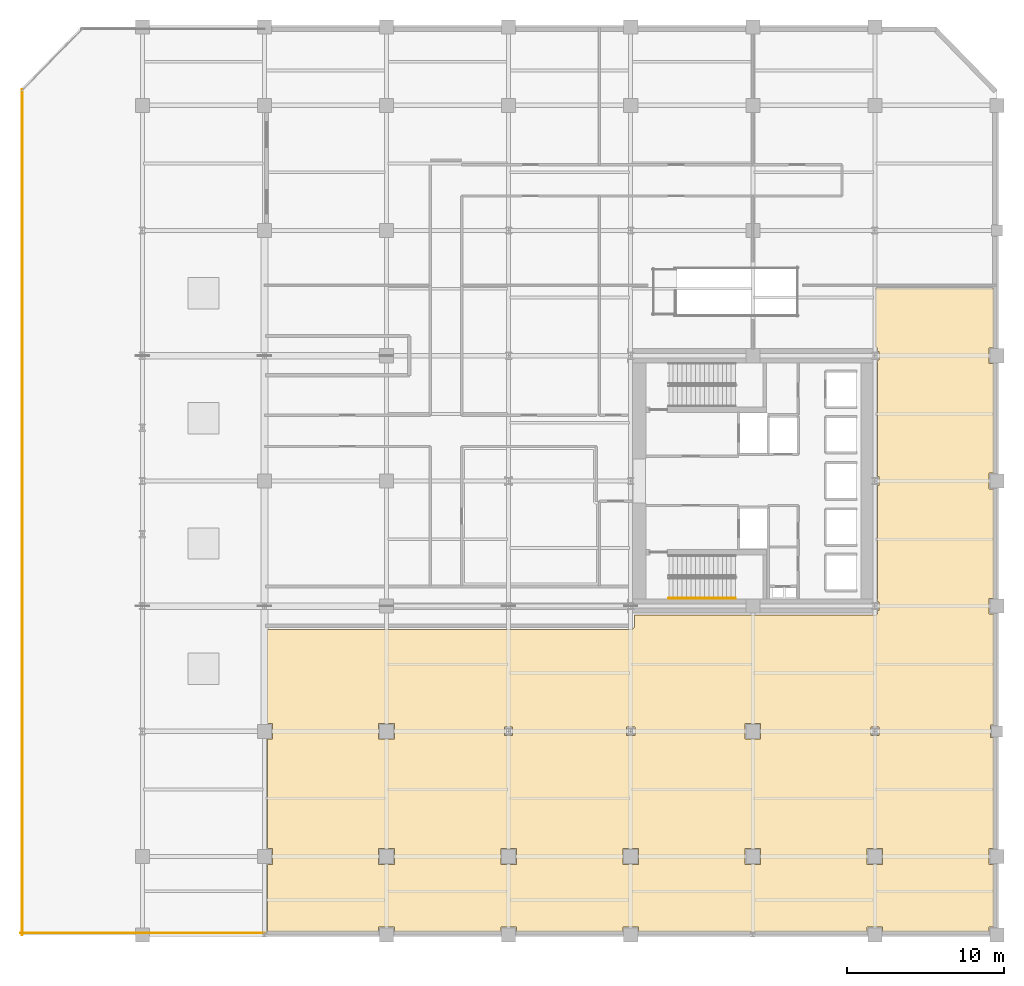
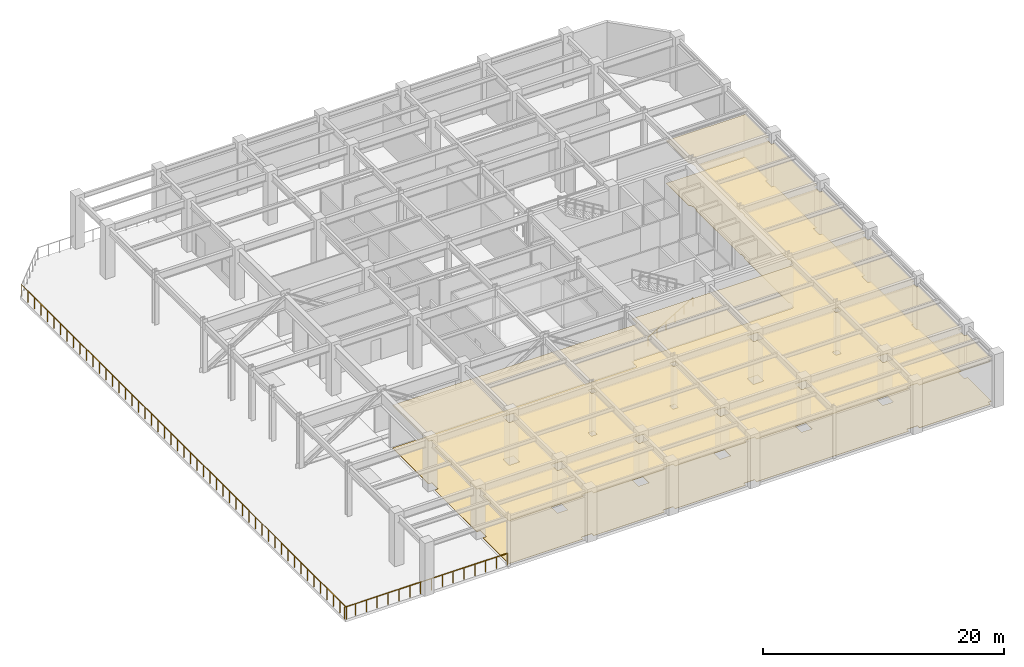
# One storey, part 11 of 14: 3 railings, 2 coverings.
"""IFC4 building model written with IfcOpenShell, lengths in metres."""

from ifc_helpers import new_model, si_unit, direction, frame, origin, origin_2d, place, context, subcontext, project, spatial, polyline, circle, outline, extrude, material, layer, layer_set, type_object, element, save


model = new_model("IFC4")

# Units and contexts
model_context = context("Model", 3, precision=1e-05, world=origin(), true_north=direction((0.0, 1.0)))
body_context = subcontext(model_context, "Body", "Model", "MODEL_VIEW")
ifc_project = project(units=[si_unit("LENGTHUNIT", "METRE"), si_unit("AREAUNIT", "SQUARE_METRE"), si_unit("VOLUMEUNIT", "CUBIC_METRE"), si_unit("PLANEANGLEUNIT", "RADIAN"), si_unit("MASSUNIT", "GRAM", prefix="KILO")], contexts=[model_context])

# Site, building, storey
site_placement = place(None, origin())
site = spatial("IfcSite", under=ifc_project, at=site_placement, CompositionType="ELEMENT")
building_placement = place(site_placement, origin())
building = spatial("IfcBuilding", under=site, at=building_placement, Name="Veymaron Broadcast Tower", CompositionType="ELEMENT")
storey_placement = place(building_placement, frame((0.0, 0.0, 27.0)))
storey = spatial("IfcBuildingStorey", under=building, at=storey_placement, Name="L05", CompositionType="ELEMENT", Elevation=27.0)

# Coverings
ifc_material_1 = material(Name="Micro-perforated dark-anodised aluminium baffle", Category="aluminium")
ifc_layer_1 = layer(ifc_material_1, 0.050048828125)
ifc_layer_set_1 = layer_set([ifc_layer_1], Name="Micro-perforated dark-anodised aluminium baffle")
covering_type_1 = type_object("IfcCoveringType", Name="COV-CEIL-MTL", PredefinedType="CEILING", material=ifc_layer_set_1)
covering_1_placement = place(storey_placement, frame((0.0, 0.0, 4.31005859375)))
element("IfcCovering", 1, at=covering_1_placement, inside=storey, type_object=covering_type_1, Name="L05 suspended acoustic ceiling 1", PredefinedType="CEILING", context=body_context, shape_type="SweptSolid", body=[
    extrude(outline(polyline([(62.219970703125, 36.320068359375), (62.219970703125, 32.5), (61.89990234375, 32.5), (61.89990234375, 31.5), (62.219970703125, 31.5), (62.219970703125, 24.5), (61.89990234375, 24.5), (61.89990234375, 23.5), (62.219970703125, 23.5), (62.219970703125, 16.5), (61.89990234375, 16.5), (61.89990234375, 15.5), (62.219970703125, 15.5), (62.219970703125, 8.39990234375), (62.0, 8.39990234375), (62.0, 7.60009765625), (62.219970703125, 7.60009765625), (62.219970703125, 0.5), (61.89990234375, 0.5), (61.89990234375, -0.5), (62.219970703125, -0.5), (62.219970703125, -4.5), (61.89990234375, -4.5), (61.89990234375, -4.820068359375), (55.10009765625, -4.820068359375), (55.10009765625, -4.5), (54.10009765625, -4.5), (54.10009765625, -4.820068359375), (46.97802734375, -4.820068359375), (46.6220703125, -4.820068359375), (39.5, -4.820068359375), (39.5, -4.5), (38.5, -4.5), (38.5, -4.820068359375), (31.699951171875, -4.820068359375), (31.699951171875, -4.5), (30.699951171875, -4.5), (30.699951171875, -4.820068359375), (23.89990234375, -4.820068359375), (23.89990234375, -4.5), (22.89990234375, -4.5), (22.89990234375, -4.820068359375), (15.780029296875, -4.820068359375), (15.780029296875, -0.5), (16.10009765625, -0.5), (16.10009765625, 0.5), (15.780029296875, 0.5), (15.780029296875, 7.5), (16.10009765625, 7.5), (16.10009765625, 8.5), (15.780029296875, 8.5), (15.780029296875, 14.52001953125), (39.050048828125, 14.52001953125), (39.067626953125, 14.52099609375), (39.085205078125, 14.5234375), (39.102294921875, 14.52783203125), (39.118896484375, 14.53369140625), (39.135009765625, 14.541259765625), (39.14990234375, 14.55029296875), (39.164306640625, 14.560791015625), (39.17724609375, 14.57275390625), (39.189208984375, 14.585693359375), (39.19970703125, 14.60009765625), (39.208740234375, 14.614990234375), (39.21630859375, 14.631103515625), (39.22216796875, 14.647705078125), (39.2265625, 14.664794921875), (39.22900390625, 14.682373046875), (39.22998046875, 14.699951171875), (39.22998046875, 15.419921875), (54.60009765625, 15.419921875), (54.61767578125, 15.4208984375), (54.635009765625, 15.423583984375), (54.65234375, 15.427734375), (54.6689453125, 15.43359375), (54.684814453125, 15.44140625), (54.699951171875, 15.4501953125), (54.714111328125, 15.4609375), (54.727294921875, 15.47265625), (54.739013671875, 15.48583984375), (54.749755859375, 15.5), (54.7587890625, 15.51513671875), (54.766357421875, 15.531005859375), (54.772216796875, 15.547607421875), (54.776611328125, 15.56494140625), (54.779052734375, 15.58251953125), (54.780029296875, 15.60009765625), (54.780029296875, 15.722412109375), (54.85888671875, 15.722412109375), (54.85888671875, 16.277587890625), (54.780029296875, 16.277587890625), (54.780029296875, 23.722412109375), (54.85888671875, 23.722412109375), (54.85888671875, 24.277587890625), (54.780029296875, 24.277587890625), (54.780029296875, 31.722412109375), (54.85888671875, 31.722412109375), (54.85888671875, 32.277587890625), (54.780029296875, 32.277587890625), (54.780029296875, 32.39990234375), (54.779052734375, 32.41748046875), (54.776611328125, 32.43505859375), (54.772216796875, 32.452392578125), (54.766357421875, 32.468994140625), (54.7587890625, 32.48486328125), (54.749755859375, 32.5), (54.739013671875, 32.51416015625), (54.727294921875, 32.52734375), (54.714111328125, 32.5390625), (54.699951171875, 32.5498046875), (54.684814453125, 32.55859375), (54.6689453125, 32.56640625), (54.65234375, 32.572265625), (54.635009765625, 32.576416015625), (54.61767578125, 32.5791015625), (54.60009765625, 32.580078125), (54.60009765625, 36.320068359375), (62.219970703125, 36.320068359375)]), holes=[polyline([(54.10009765625, 0.5), (54.10009765625, -0.5), (55.10009765625, -0.5), (55.10009765625, 0.5), (54.10009765625, 0.5)]), polyline([(54.85888671875, 8.277587890625), (54.341064453125, 8.277587890625), (54.341064453125, 7.722412109375), (54.85888671875, 7.722412109375), (54.85888671875, 8.277587890625)]), polyline([(46.300048828125, 0.5), (46.300048828125, -0.5), (47.300048828125, -0.5), (47.300048828125, 0.5), (46.300048828125, 0.5)]), polyline([(47.300048828125, 8.5), (46.300048828125, 8.5), (46.300048828125, 7.5), (47.300048828125, 7.5), (47.300048828125, 8.5)]), polyline([(38.5, -0.5), (39.5, -0.5), (39.5, 0.5), (38.5, 0.5), (38.5, -0.5)]), polyline([(38.740966796875, 8.277587890625), (38.740966796875, 7.722412109375), (39.259033203125, 7.722412109375), (39.259033203125, 8.277587890625), (38.740966796875, 8.277587890625)]), polyline([(31.699951171875, -0.5), (31.699951171875, 0.5), (30.699951171875, 0.5), (30.699951171875, -0.5), (31.699951171875, -0.5)]), polyline([(30.94091796875, 7.722412109375), (31.458984375, 7.722412109375), (31.458984375, 8.277587890625), (30.94091796875, 8.277587890625), (30.94091796875, 7.722412109375)]), polyline([(23.89990234375, 0.5), (22.89990234375, 0.5), (22.89990234375, -0.5), (23.89990234375, -0.5), (23.89990234375, 0.5)]), polyline([(23.89990234375, 7.5), (23.89990234375, 8.5), (22.89990234375, 8.5), (22.89990234375, 7.5), (23.89990234375, 7.5)])]), origin(), (0.0, 0.0, 1.0), 0.050048828125),
])
ifc_material_2 = material(Name="Honed Saudi basalt stone flooring", Category="masonry")
ifc_layer_2 = layer(ifc_material_2, 0.030029296875)
ifc_layer_set_2 = layer_set([ifc_layer_2], Name="Honed Saudi basalt stone flooring")
covering_type_2 = type_object("IfcCoveringType", Name="COV-FLR-STN", PredefinedType="FLOORING", material=ifc_layer_set_2)
covering_2_placement = place(storey_placement, origin())
element("IfcCovering", 2, at=covering_2_placement, inside=storey, type_object=covering_type_2, Name="L05 finished flooring 1", PredefinedType="FLOORING", context=body_context, shape_type="SweptSolid", body=[
    extrude(outline(polyline([(62.219970703125, 36.320068359375), (62.219970703125, 32.5), (61.89990234375, 32.5), (61.89990234375, 31.5), (62.219970703125, 31.5), (62.219970703125, 24.5), (61.89990234375, 24.5), (61.89990234375, 23.5), (62.219970703125, 23.5), (62.219970703125, 16.5), (61.89990234375, 16.5), (61.89990234375, 15.5), (62.219970703125, 15.5), (62.219970703125, 8.39990234375), (62.0, 8.39990234375), (62.0, 7.60009765625), (62.219970703125, 7.60009765625), (62.219970703125, 0.5), (61.89990234375, 0.5), (61.89990234375, -0.5), (62.219970703125, -0.5), (62.219970703125, -4.5), (61.89990234375, -4.5), (61.89990234375, -4.820068359375), (55.10009765625, -4.820068359375), (55.10009765625, -4.5), (54.10009765625, -4.5), (54.10009765625, -4.820068359375), (46.97802734375, -4.820068359375), (46.6220703125, -4.820068359375), (39.5, -4.820068359375), (39.5, -4.5), (38.5, -4.5), (38.5, -4.820068359375), (31.699951171875, -4.820068359375), (31.699951171875, -4.5), (30.699951171875, -4.5), (30.699951171875, -4.820068359375), (23.89990234375, -4.820068359375), (23.89990234375, -4.5), (22.89990234375, -4.5), (22.89990234375, -4.820068359375), (15.780029296875, -4.820068359375), (15.780029296875, -0.5), (16.10009765625, -0.5), (16.10009765625, 0.5), (15.780029296875, 0.5), (15.780029296875, 7.5), (16.10009765625, 7.5), (16.10009765625, 8.5), (15.780029296875, 8.5), (15.780029296875, 14.52001953125), (39.050048828125, 14.52001953125), (39.067626953125, 14.52099609375), (39.085205078125, 14.5234375), (39.102294921875, 14.52783203125), (39.118896484375, 14.53369140625), (39.135009765625, 14.541259765625), (39.14990234375, 14.55029296875), (39.164306640625, 14.560791015625), (39.17724609375, 14.57275390625), (39.189208984375, 14.585693359375), (39.19970703125, 14.60009765625), (39.208740234375, 14.614990234375), (39.21630859375, 14.631103515625), (39.22216796875, 14.647705078125), (39.2265625, 14.664794921875), (39.22900390625, 14.682373046875), (39.22998046875, 14.699951171875), (39.22998046875, 15.419921875), (54.60009765625, 15.419921875), (54.61767578125, 15.4208984375), (54.635009765625, 15.423583984375), (54.65234375, 15.427734375), (54.6689453125, 15.43359375), (54.684814453125, 15.44140625), (54.699951171875, 15.4501953125), (54.714111328125, 15.4609375), (54.727294921875, 15.47265625), (54.739013671875, 15.48583984375), (54.749755859375, 15.5), (54.7587890625, 15.51513671875), (54.766357421875, 15.531005859375), (54.772216796875, 15.547607421875), (54.776611328125, 15.56494140625), (54.779052734375, 15.58251953125), (54.780029296875, 15.60009765625), (54.780029296875, 15.722412109375), (54.85888671875, 15.722412109375), (54.85888671875, 16.277587890625), (54.780029296875, 16.277587890625), (54.780029296875, 23.722412109375), (54.85888671875, 23.722412109375), (54.85888671875, 24.277587890625), (54.780029296875, 24.277587890625), (54.780029296875, 31.722412109375), (54.85888671875, 31.722412109375), (54.85888671875, 32.277587890625), (54.780029296875, 32.277587890625), (54.780029296875, 32.39990234375), (54.779052734375, 32.41748046875), (54.776611328125, 32.43505859375), (54.772216796875, 32.452392578125), (54.766357421875, 32.468994140625), (54.7587890625, 32.48486328125), (54.749755859375, 32.5), (54.739013671875, 32.51416015625), (54.727294921875, 32.52734375), (54.714111328125, 32.5390625), (54.699951171875, 32.5498046875), (54.684814453125, 32.55859375), (54.6689453125, 32.56640625), (54.65234375, 32.572265625), (54.635009765625, 32.576416015625), (54.61767578125, 32.5791015625), (54.60009765625, 32.580078125), (54.60009765625, 36.320068359375), (62.219970703125, 36.320068359375)]), holes=[polyline([(54.10009765625, 0.5), (54.10009765625, -0.5), (55.10009765625, -0.5), (55.10009765625, 0.5), (54.10009765625, 0.5)]), polyline([(54.85888671875, 8.277587890625), (54.341064453125, 8.277587890625), (54.341064453125, 7.722412109375), (54.85888671875, 7.722412109375), (54.85888671875, 8.277587890625)]), polyline([(46.300048828125, 0.5), (46.300048828125, -0.5), (47.300048828125, -0.5), (47.300048828125, 0.5), (46.300048828125, 0.5)]), polyline([(47.300048828125, 8.5), (46.300048828125, 8.5), (46.300048828125, 7.5), (47.300048828125, 7.5), (47.300048828125, 8.5)]), polyline([(38.5, -0.5), (39.5, -0.5), (39.5, 0.5), (38.5, 0.5), (38.5, -0.5)]), polyline([(38.740966796875, 8.277587890625), (38.740966796875, 7.722412109375), (39.259033203125, 7.722412109375), (39.259033203125, 8.277587890625), (38.740966796875, 8.277587890625)]), polyline([(31.699951171875, -0.5), (31.699951171875, 0.5), (30.699951171875, 0.5), (30.699951171875, -0.5), (31.699951171875, -0.5)]), polyline([(30.94091796875, 7.722412109375), (31.458984375, 7.722412109375), (31.458984375, 8.277587890625), (30.94091796875, 8.277587890625), (30.94091796875, 7.722412109375)]), polyline([(23.89990234375, 0.5), (22.89990234375, 0.5), (22.89990234375, -0.5), (23.89990234375, -0.5), (23.89990234375, 0.5)]), polyline([(23.89990234375, 7.5), (23.89990234375, 8.5), (22.89990234375, 8.5), (22.89990234375, 7.5), (23.89990234375, 7.5)])]), origin(), (0.0, 0.0, 1.0), 0.030029296875),
])

# Railings
ifc_material_3 = material(Name="Brushed stainless steel AISI 304", Category="steel")
railing_type_1 = type_object("IfcRailingType", Name="RAIL-STAIR-HR", PredefinedType="HANDRAIL", material=ifc_material_3)
railing_1_placement = place(storey_placement, frame((41.429931640625, 16.5, 0.168701171875)))
element("IfcRailing", 3, at=railing_1_placement, inside=storey, type_object=railing_type_1, Name="L05 ST2 stair handrail 1", PredefinedType="HANDRAIL", context=body_context, shape_type="SweptSolid", body=[
    extrude(circle(Radius=0.02392578125, at=origin_2d()), frame((0.0, 0.0, 0.8759765625), z_axis=(0.860483042394, 0.0, 0.50947908078), x_axis=(0.0, 1.0, 0.0)), (0.0, 0.0, 1.0), 4.96826171875),
    extrude(circle(Radius=0.02099609375, at=origin_2d()), origin(), (0.0, 0.0, 1.0), 0.851806640625),
    extrude(circle(Radius=0.02099609375, at=origin_2d()), frame((0.85498046875, 0.0, 0.50634765625)), (0.0, 0.0, 1.0), 0.851806640625),
    extrude(circle(Radius=0.02099609375, at=origin_2d()), frame((1.7099609375, 0.0, 1.012451171875)), (0.0, 0.0, 1.0), 0.851806640625),
    extrude(circle(Radius=0.02099609375, at=origin_2d()), frame((2.565185546875, 0.0, 1.518798828125)), (0.0, 0.0, 1.0), 0.851806640625),
    extrude(circle(Radius=0.02099609375, at=origin_2d()), frame((3.420166015625, 0.0, 2.02490234375)), (0.0, 0.0, 1.0), 0.851806640625),
    extrude(circle(Radius=0.02099609375, at=origin_2d()), frame((4.275146484375, 0.0, 2.53125)), (0.0, 0.0, 1.0), 0.851806640625),
])
ifc_material_4 = material(Name="Laminated structural sentry-glass and stainless steel AISI 316L", Category="steel")
railing_type_2 = type_object("IfcRailingType", Name="RAIL-TERR-1200", PredefinedType="GUARDRAIL", material=ifc_material_4)
railing_2_placement = place(storey_placement, frame((0.1201171875, 49.0, 0.0)))
element("IfcRailing", 4, at=railing_2_placement, inside=storey, type_object=railing_type_2, Name="L05 sky-terrace perimeter guardrail 4", PredefinedType="GUARDRAIL", context=body_context, shape_type="SweptSolid", body=[
    extrude(circle(Radius=0.02392578125, at=origin_2d()), frame((0.0, 0.0, 1.17578125), z_axis=(0.0, -1.0, 0.0), x_axis=(1.0, 0.0, 0.0)), (0.0, 0.0, 1.0), 54.0),
    extrude(circle(Radius=0.02099609375, at=origin_2d()), origin(), (0.0, 0.0, 1.0), 1.15185546875),
    extrude(circle(Radius=0.02099609375, at=origin_2d()), frame((0.0, -1.080078125, 0.0)), (0.0, 0.0, 1.0), 1.15185546875),
    extrude(circle(Radius=0.02099609375, at=origin_2d()), frame((0.0, -2.159912109375, 0.0)), (0.0, 0.0, 1.0), 1.15185546875),
    extrude(circle(Radius=0.02099609375, at=origin_2d()), frame((0.0, -3.239990234375, 0.0)), (0.0, 0.0, 1.0), 1.15185546875),
    extrude(circle(Radius=0.02099609375, at=origin_2d()), frame((0.0, -4.320068359375, 0.0)), (0.0, 0.0, 1.0), 1.15185546875),
    extrude(circle(Radius=0.02099609375, at=origin_2d()), frame((0.0, -5.39990234375, 0.0)), (0.0, 0.0, 1.0), 1.15185546875),
    extrude(circle(Radius=0.02099609375, at=origin_2d()), frame((0.0, -6.47998046875, 0.0)), (0.0, 0.0, 1.0), 1.15185546875),
    extrude(circle(Radius=0.02099609375, at=origin_2d()), frame((0.0, -7.56005859375, 0.0)), (0.0, 0.0, 1.0), 1.15185546875),
    extrude(circle(Radius=0.02099609375, at=origin_2d()), frame((0.0, -8.639892578125, 0.0)), (0.0, 0.0, 1.0), 1.15185546875),
    extrude(circle(Radius=0.02099609375, at=origin_2d()), frame((0.0, -9.719970703125, 0.0)), (0.0, 0.0, 1.0), 1.15185546875),
    extrude(circle(Radius=0.02099609375, at=origin_2d()), frame((0.0, -10.800048828125, 0.0)), (0.0, 0.0, 1.0), 1.15185546875),
    extrude(circle(Radius=0.02099609375, at=origin_2d()), frame((0.0, -11.8798828125, 0.0)), (0.0, 0.0, 1.0), 1.15185546875),
    extrude(circle(Radius=0.02099609375, at=origin_2d()), frame((0.0, -12.9599609375, 0.0)), (0.0, 0.0, 1.0), 1.15185546875),
    extrude(circle(Radius=0.02099609375, at=origin_2d()), frame((0.0, -14.0400390625, 0.0)), (0.0, 0.0, 1.0), 1.15185546875),
    extrude(circle(Radius=0.02099609375, at=origin_2d()), frame((0.0, -15.1201171875, 0.0)), (0.0, 0.0, 1.0), 1.15185546875),
    extrude(circle(Radius=0.02099609375, at=origin_2d()), frame((0.0, -16.199951171875, 0.0)), (0.0, 0.0, 1.0), 1.15185546875),
    extrude(circle(Radius=0.02099609375, at=origin_2d()), frame((0.0, -17.280029296875, 0.0)), (0.0, 0.0, 1.0), 1.15185546875),
    extrude(circle(Radius=0.02099609375, at=origin_2d()), frame((0.0, -18.360107421875, 0.0)), (0.0, 0.0, 1.0), 1.15185546875),
    extrude(circle(Radius=0.02099609375, at=origin_2d()), frame((0.0, -19.43994140625, 0.0)), (0.0, 0.0, 1.0), 1.15185546875),
    extrude(circle(Radius=0.02099609375, at=origin_2d()), frame((0.0, -20.52001953125, 0.0)), (0.0, 0.0, 1.0), 1.15185546875),
    extrude(circle(Radius=0.02099609375, at=origin_2d()), frame((0.0, -21.60009765625, 0.0)), (0.0, 0.0, 1.0), 1.15185546875),
    extrude(circle(Radius=0.02099609375, at=origin_2d()), frame((0.0, -22.679931640625, 0.0)), (0.0, 0.0, 1.0), 1.15185546875),
    extrude(circle(Radius=0.02099609375, at=origin_2d()), frame((0.0, -23.760009765625, 0.0)), (0.0, 0.0, 1.0), 1.15185546875),
    extrude(circle(Radius=0.02099609375, at=origin_2d()), frame((0.0, -24.840087890625, 0.0)), (0.0, 0.0, 1.0), 1.15185546875),
    extrude(circle(Radius=0.02099609375, at=origin_2d()), frame((0.0, -25.919921875, 0.0)), (0.0, 0.0, 1.0), 1.15185546875),
    extrude(circle(Radius=0.02099609375, at=origin_2d()), frame((0.0, -27.0, 0.0)), (0.0, 0.0, 1.0), 1.15185546875),
    extrude(circle(Radius=0.02099609375, at=origin_2d()), frame((0.0, -28.080078125, 0.0)), (0.0, 0.0, 1.0), 1.15185546875),
    extrude(circle(Radius=0.02099609375, at=origin_2d()), frame((0.0, -29.159912109375, 0.0)), (0.0, 0.0, 1.0), 1.15185546875),
    extrude(circle(Radius=0.02099609375, at=origin_2d()), frame((0.0, -30.239990234375, 0.0)), (0.0, 0.0, 1.0), 1.15185546875),
    extrude(circle(Radius=0.02099609375, at=origin_2d()), frame((0.0, -31.320068359375, 0.0)), (0.0, 0.0, 1.0), 1.15185546875),
    extrude(circle(Radius=0.02099609375, at=origin_2d()), frame((0.0, -32.39990234375, 0.0)), (0.0, 0.0, 1.0), 1.15185546875),
    extrude(circle(Radius=0.02099609375, at=origin_2d()), frame((0.0, -33.47998046875, 0.0)), (0.0, 0.0, 1.0), 1.15185546875),
    extrude(circle(Radius=0.02099609375, at=origin_2d()), frame((0.0, -34.56005859375, 0.0)), (0.0, 0.0, 1.0), 1.15185546875),
    extrude(circle(Radius=0.02099609375, at=origin_2d()), frame((0.0, -35.639892578125, 0.0)), (0.0, 0.0, 1.0), 1.15185546875),
    extrude(circle(Radius=0.02099609375, at=origin_2d()), frame((0.0, -36.719970703125, 0.0)), (0.0, 0.0, 1.0), 1.15185546875),
    extrude(circle(Radius=0.02099609375, at=origin_2d()), frame((0.0, -37.800048828125, 0.0)), (0.0, 0.0, 1.0), 1.15185546875),
    extrude(circle(Radius=0.02099609375, at=origin_2d()), frame((0.0, -38.8798828125, 0.0)), (0.0, 0.0, 1.0), 1.15185546875),
    extrude(circle(Radius=0.02099609375, at=origin_2d()), frame((0.0, -39.9599609375, 0.0)), (0.0, 0.0, 1.0), 1.15185546875),
    extrude(circle(Radius=0.02099609375, at=origin_2d()), frame((0.0, -41.0400390625, 0.0)), (0.0, 0.0, 1.0), 1.15185546875),
    extrude(circle(Radius=0.02099609375, at=origin_2d()), frame((0.0, -42.1201171875, 0.0)), (0.0, 0.0, 1.0), 1.15185546875),
    extrude(circle(Radius=0.02099609375, at=origin_2d()), frame((0.0, -43.199951171875, 0.0)), (0.0, 0.0, 1.0), 1.15185546875),
    extrude(circle(Radius=0.02099609375, at=origin_2d()), frame((0.0, -44.280029296875, 0.0)), (0.0, 0.0, 1.0), 1.15185546875),
    extrude(circle(Radius=0.02099609375, at=origin_2d()), frame((0.0, -45.360107421875, 0.0)), (0.0, 0.0, 1.0), 1.15185546875),
    extrude(circle(Radius=0.02099609375, at=origin_2d()), frame((0.0, -46.43994140625, 0.0)), (0.0, 0.0, 1.0), 1.15185546875),
    extrude(circle(Radius=0.02099609375, at=origin_2d()), frame((0.0, -47.52001953125, 0.0)), (0.0, 0.0, 1.0), 1.15185546875),
    extrude(circle(Radius=0.02099609375, at=origin_2d()), frame((0.0, -48.60009765625, 0.0)), (0.0, 0.0, 1.0), 1.15185546875),
    extrude(circle(Radius=0.02099609375, at=origin_2d()), frame((0.0, -49.679931640625, 0.0)), (0.0, 0.0, 1.0), 1.15185546875),
    extrude(circle(Radius=0.02099609375, at=origin_2d()), frame((0.0, -50.760009765625, 0.0)), (0.0, 0.0, 1.0), 1.15185546875),
    extrude(circle(Radius=0.02099609375, at=origin_2d()), frame((0.0, -51.840087890625, 0.0)), (0.0, 0.0, 1.0), 1.15185546875),
    extrude(circle(Radius=0.02099609375, at=origin_2d()), frame((0.0, -52.919921875, 0.0)), (0.0, 0.0, 1.0), 1.15185546875),
    extrude(circle(Radius=0.02099609375, at=origin_2d()), frame((0.0, -54.0, 0.0)), (0.0, 0.0, 1.0), 1.15185546875),
])
railing_3_placement = place(storey_placement, frame((0.0, -4.8798828125, 0.0)))
element("IfcRailing", 5, at=railing_3_placement, inside=storey, type_object=railing_type_2, Name="L05 sky-terrace perimeter guardrail 5", PredefinedType="GUARDRAIL", context=body_context, shape_type="SweptSolid", body=[
    extrude(circle(Radius=0.02392578125, at=origin_2d()), frame((0.0, 0.0, 1.17578125), z_axis=(1.0, 0.0, 0.0), x_axis=(0.0, 1.0, 0.0)), (0.0, 0.0, 1.0), 15.60009765625),
    extrude(circle(Radius=0.02099609375, at=origin_2d()), origin(), (0.0, 0.0, 1.0), 1.15185546875),
    extrude(circle(Radius=0.02099609375, at=origin_2d()), frame((1.0400390625, 0.0, 0.0)), (0.0, 0.0, 1.0), 1.15185546875),
    extrude(circle(Radius=0.02099609375, at=origin_2d()), frame((2.080078125, 0.0, 0.0)), (0.0, 0.0, 1.0), 1.15185546875),
    extrude(circle(Radius=0.02099609375, at=origin_2d()), frame((3.1201171875, 0.0, 0.0)), (0.0, 0.0, 1.0), 1.15185546875),
    extrude(circle(Radius=0.02099609375, at=origin_2d()), frame((4.159912109375, 0.0, 0.0)), (0.0, 0.0, 1.0), 1.15185546875),
    extrude(circle(Radius=0.02099609375, at=origin_2d()), frame((5.199951171875, 0.0, 0.0)), (0.0, 0.0, 1.0), 1.15185546875),
    extrude(circle(Radius=0.02099609375, at=origin_2d()), frame((6.239990234375, 0.0, 0.0)), (0.0, 0.0, 1.0), 1.15185546875),
    extrude(circle(Radius=0.02099609375, at=origin_2d()), frame((7.280029296875, 0.0, 0.0)), (0.0, 0.0, 1.0), 1.15185546875),
    extrude(circle(Radius=0.02099609375, at=origin_2d()), frame((8.320068359375, 0.0, 0.0)), (0.0, 0.0, 1.0), 1.15185546875),
    extrude(circle(Radius=0.02099609375, at=origin_2d()), frame((9.360107421875, 0.0, 0.0)), (0.0, 0.0, 1.0), 1.15185546875),
    extrude(circle(Radius=0.02099609375, at=origin_2d()), frame((10.400146484375, 0.0, 0.0)), (0.0, 0.0, 1.0), 1.15185546875),
    extrude(circle(Radius=0.02099609375, at=origin_2d()), frame((11.440185546875, 0.0, 0.0)), (0.0, 0.0, 1.0), 1.15185546875),
    extrude(circle(Radius=0.02099609375, at=origin_2d()), frame((12.47998046875, 0.0, 0.0)), (0.0, 0.0, 1.0), 1.15185546875),
    extrude(circle(Radius=0.02099609375, at=origin_2d()), frame((13.52001953125, 0.0, 0.0)), (0.0, 0.0, 1.0), 1.15185546875),
    extrude(circle(Radius=0.02099609375, at=origin_2d()), frame((14.56005859375, 0.0, 0.0)), (0.0, 0.0, 1.0), 1.15185546875),
    extrude(circle(Radius=0.02099609375, at=origin_2d()), frame((15.60009765625, 0.0, 0.0)), (0.0, 0.0, 1.0), 1.15185546875),
])

save(model, "model.ifc")
